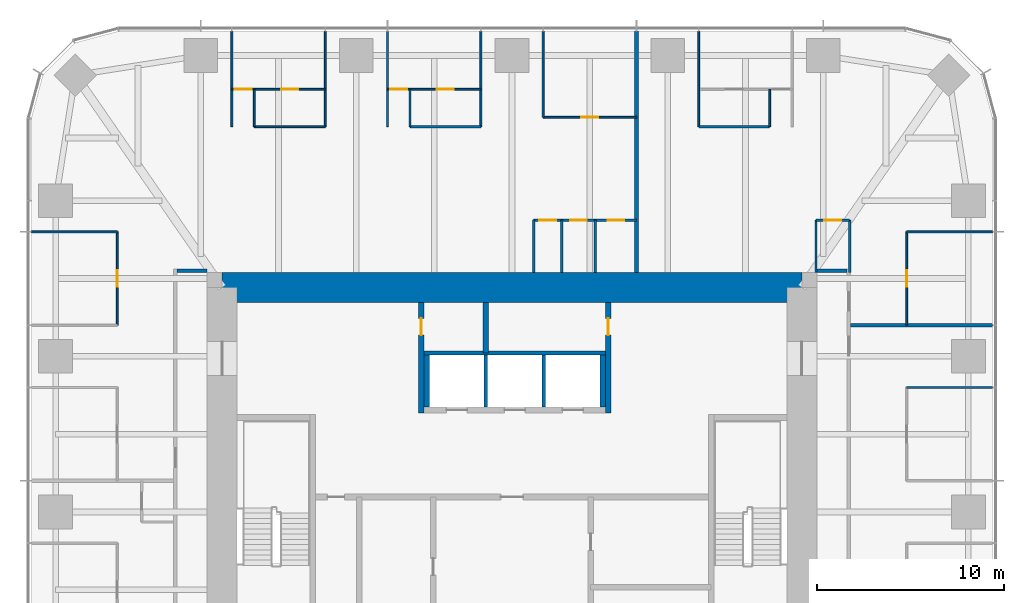
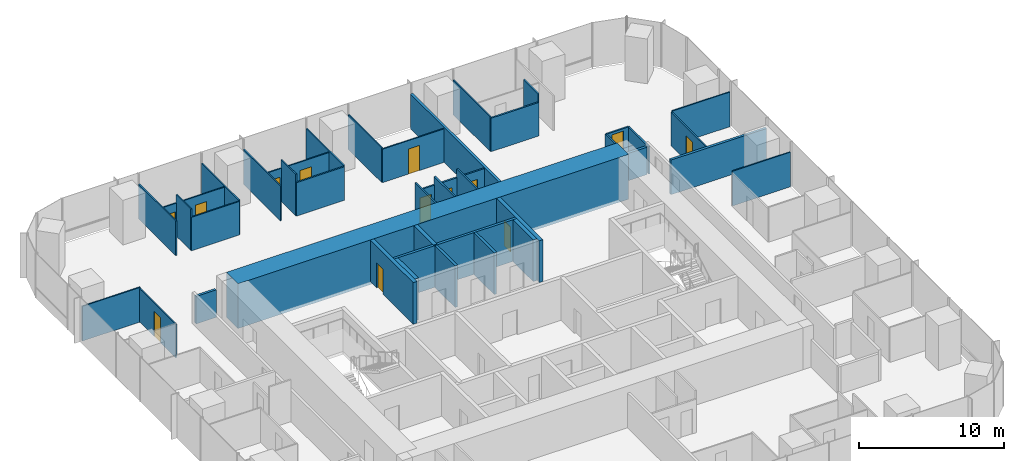
# One storey, part 11 of 13: 40 walls, 13 doors, 13 openings.
"""IFC4 building model written with IfcOpenShell, lengths in metres."""

from ifc_helpers import new_model, si_unit, direction, frame, frame_2d, origin, place, context, subcontext, project, spatial, rectangle, extrude, material, layer, layer_set, type_object, element, fill, save


model = new_model("IFC4")

# Units and contexts
model_context = context("Model", 3, precision=1e-05, world=origin(), true_north=direction((0.0, 1.0)))
body_context = subcontext(model_context, "Body", "Model", "MODEL_VIEW")
ifc_project = project(units=[si_unit("LENGTHUNIT", "METRE"), si_unit("AREAUNIT", "SQUARE_METRE"), si_unit("VOLUMEUNIT", "CUBIC_METRE"), si_unit("PLANEANGLEUNIT", "RADIAN"), si_unit("MASSUNIT", "GRAM", prefix="KILO")], contexts=[model_context])

# Site, building, storey
site_placement = place(None, origin())
site = spatial("IfcSite", under=ifc_project, at=site_placement, CompositionType="ELEMENT")
building_placement = place(site_placement, origin())
building = spatial("IfcBuilding", under=site, at=building_placement, Name="Khuree Lantern Residences", CompositionType="ELEMENT")
storey_placement = place(building_placement, frame((0.0, 0.0, 252.0)))
storey = spatial("IfcBuildingStorey", under=building, at=storey_placement, Name="L63", CompositionType="ELEMENT", Elevation=252.0)

# Wall
ifc_material_1 = material(Name="Moisture-resistant gypsum board on steel studs", Category="steel")
ifc_layer_1 = layer(ifc_material_1, 0.125)
ifc_layer_set_1 = layer_set([ifc_layer_1], Name="BATHROOM WALL BTW125")
wall_type_1 = type_object("IfcWallType", Name="BATHROOM WALL BTW125", PredefinedType="PARTITIONING", material=ifc_layer_set_1)
wall_1_placement = place(storey_placement, frame((13.77587890625, 20.594970703125, 0.0), z_axis=(0.0, 0.0, 1.0), x_axis=(-1.0, 0.0, 0.0)))
element("IfcWall", 1, at=wall_1_placement, inside=storey, type_object=wall_type_1, Name="L63 BATHROOM WALL 02", PredefinedType="PARTITIONING", context=body_context, shape_type="SweptSolid", body=[
    extrude(rectangle(XDim=3.7919921875, YDim=0.125, at=frame_2d((1.89599609375, 0.0))), origin(), (0.0, 0.0, 1.0), 2.81005859375),
])

# Wall, opening, door
wall_2_placement = place(storey_placement, frame((18.050048828125, 15.60009765625, 0.0), z_axis=(0.0, 0.0, 1.0), x_axis=(-1.0, 0.0, 0.0)))
wall_2 = element("IfcWall", 2, at=wall_2_placement, inside=storey, type_object=wall_type_1, Name="L63 BATHROOM WALL 02", PredefinedType="PARTITIONING", context=body_context, shape_type="SweptSolid", body=[
    extrude(rectangle(XDim=1.800048828125, YDim=0.125, at=frame_2d((0.89990234375, 0.0))), origin(), (0.0, 0.0, 1.0), 2.300048828125),
])
opening_1_placement = place(wall_2_placement, frame((0.449951171875, 0.0, 0.0)))
opening_1 = element("IfcOpeningElement", 3, at=opening_1_placement, cuts=wall_2, Name="Opening 63-029", PredefinedType="OPENING", context=body_context, shape_type="SweptSolid", body=[
    extrude(rectangle(XDim=0.89990234375, YDim=2.10009765625, at=frame_2d((0.449951171875, 1.050048828125))), frame((0.0, 0.072509765625, 0.0), z_axis=(0.0, -1.0, 0.0), x_axis=(1.0, 0.0, 0.0)), (0.0, 0.0, 1.0), 0.14501953125),
])
ifc_material_2 = material(Name="Timber door leaf in hardwood frame", Category="wood")
door_type_1 = type_object("IfcDoorType", Name="BATHROOM DOOR 900X2100", OperationType="SINGLE_SWING_LEFT", PredefinedType="DOOR", material=ifc_material_2)
door_1_placement = place(opening_1_placement, origin())
door_1 = element("IfcDoor", 4, at=door_1_placement, inside=storey, type_object=door_type_1, Name="Bathroom door 63-029", OperationType="SINGLE_SWING_LEFT", OverallHeight=2.10009765625, OverallWidth=0.89990234375, PredefinedType="DOOR", context=body_context, shape_type="SweptSolid", body=[
    extrude(rectangle(XDim=0.89990234375, YDim=2.10009765625, at=frame_2d((0.449951171875, 1.050048828125))), frame((0.0, 0.02490234375, 0.0), z_axis=(0.0, -1.0, 0.0), x_axis=(1.0, 0.0, 0.0)), (0.0, 0.0, 1.0), 0.050048828125),
])
fill(opening_1, door_1)

# Walls
for number, where, z_axis, x_axis, name in (
    (5, (18.050048828125, 12.800048828125, 0.0), (0.0, 0.0, 1.0), (0.0, 1.0, 0.0), "L63 BATHROOM WALL 02"),
    (6, (16.25, 12.800048828125, 0.0), (0.0, 0.0, 1.0), (0.0, 1.0, 0.0), "L63 BATHROOM WALL 02"),
):
    element("IfcWall", number, at=place(storey_placement, frame(where, z_axis=z_axis, x_axis=x_axis)), inside=storey, type_object=wall_type_1, Name=name, PredefinedType="PARTITIONING", context=body_context, shape_type="SweptSolid", body=[
        extrude(rectangle(XDim=2.800048828125, YDim=0.125, at=frame_2d((1.39990234375, 0.0))), origin(), (0.0, 0.0, 1.0), 2.300048828125),
    ])
wall_3_placement = place(storey_placement, frame((-1.6640625, 20.594970703125, 0.0), z_axis=(0.0, 0.0, 1.0), x_axis=(-1.0, 0.0, 0.0)))
element("IfcWall", 7, at=wall_3_placement, inside=storey, type_object=wall_type_1, Name="L63 BATHROOM WALL 03", PredefinedType="PARTITIONING", context=body_context, shape_type="SweptSolid", body=[
    extrude(rectangle(XDim=3.7919921875, YDim=0.125, at=frame_2d((1.89599609375, 0.0))), origin(), (0.0, 0.0, 1.0), 2.81005859375),
])

# Wall, openings, doors
wall_4_placement = place(storey_placement, frame((6.656005859375, 15.60009765625, 0.0), z_axis=(0.0, 0.0, 1.0), x_axis=(-1.0, 0.0, 0.0)))
wall_4 = element("IfcWall", 8, at=wall_4_placement, inside=storey, type_object=wall_type_1, Name="L63 BATHROOM WALL 03", PredefinedType="PARTITIONING", context=body_context, shape_type="SweptSolid", body=[
    extrude(rectangle(XDim=5.5, YDim=0.125, at=frame_2d((2.75, 0.0))), origin(), (0.0, 0.0, 1.0), 2.81005859375),
])
opening_2_placement = place(wall_4_placement, frame((0.64990234375, 0.0, 0.0)))
opening_2 = element("IfcOpeningElement", 9, at=opening_2_placement, cuts=wall_4, Name="Opening 63-038", PredefinedType="OPENING", context=body_context, shape_type="SweptSolid", body=[
    extrude(rectangle(XDim=0.89990234375, YDim=2.10009765625, at=frame_2d((0.449951171875, 1.050048828125))), frame((0.0, 0.072509765625, 0.0), z_axis=(0.0, -1.0, 0.0), x_axis=(1.0, 0.0, 0.0)), (0.0, 0.0, 1.0), 0.14501953125),
])
opening_3_placement = place(wall_4_placement, frame((2.64990234375, 0.0, 0.0)))
opening_3 = element("IfcOpeningElement", 10, at=opening_3_placement, cuts=wall_4, Name="Opening 63-039", PredefinedType="OPENING", context=body_context, shape_type="SweptSolid", body=[
    extrude(rectangle(XDim=0.89990234375, YDim=2.10009765625, at=frame_2d((0.449951171875, 1.050048828125))), frame((0.0, 0.072509765625, 0.0), z_axis=(0.0, -1.0, 0.0), x_axis=(1.0, 0.0, 0.0)), (0.0, 0.0, 1.0), 0.14501953125),
])
opening_4_placement = place(wall_4_placement, frame((4.300048828125, 0.0, 0.0)))
opening_4 = element("IfcOpeningElement", 11, at=opening_4_placement, cuts=wall_4, Name="Opening 63-040", PredefinedType="OPENING", context=body_context, shape_type="SweptSolid", body=[
    extrude(rectangle(XDim=0.89990234375, YDim=2.10009765625, at=frame_2d((0.449951171875, 1.050048828125))), frame((0.0, 0.072509765625, 0.0), z_axis=(0.0, -1.0, 0.0), x_axis=(1.0, 0.0, 0.0)), (0.0, 0.0, 1.0), 0.14501953125),
])
door_2_placement = place(opening_2_placement, origin())
door_2 = element("IfcDoor", 12, at=door_2_placement, inside=storey, type_object=door_type_1, Name="Bathroom door 63-038", OperationType="SINGLE_SWING_LEFT", OverallHeight=2.10009765625, OverallWidth=0.89990234375, PredefinedType="DOOR", context=body_context, shape_type="SweptSolid", body=[
    extrude(rectangle(XDim=0.89990234375, YDim=2.10009765625, at=frame_2d((0.449951171875, 1.050048828125))), frame((0.0, 0.02490234375, 0.0), z_axis=(0.0, -1.0, 0.0), x_axis=(1.0, 0.0, 0.0)), (0.0, 0.0, 1.0), 0.050048828125),
])
fill(opening_2, door_2)
door_type_2 = type_object("IfcDoorType", Name="DOOR 900X2100", OperationType="SINGLE_SWING_LEFT", PredefinedType="DOOR", material=ifc_material_2)
door_3_placement = place(opening_3_placement, origin())
door_3 = element("IfcDoor", 13, at=door_3_placement, inside=storey, type_object=door_type_2, Name="Store door 63-039", OperationType="SINGLE_SWING_LEFT", OverallHeight=2.10009765625, OverallWidth=0.89990234375, PredefinedType="DOOR", context=body_context, shape_type="SweptSolid", body=[
    extrude(rectangle(XDim=0.89990234375, YDim=2.10009765625, at=frame_2d((0.449951171875, 1.050048828125))), frame((0.0, 0.02490234375, 0.0), z_axis=(0.0, -1.0, 0.0), x_axis=(1.0, 0.0, 0.0)), (0.0, 0.0, 1.0), 0.050048828125),
])
fill(opening_3, door_3)
door_type_3 = type_object("IfcDoorType", Name="WC DOOR 900X2100", OperationType="SINGLE_SWING_LEFT", PredefinedType="DOOR", material=ifc_material_2)
door_4_placement = place(opening_4_placement, origin())
door_4 = element("IfcDoor", 14, at=door_4_placement, inside=storey, type_object=door_type_3, Name="WC door 63-040", OperationType="SINGLE_SWING_LEFT", OverallHeight=2.10009765625, OverallWidth=0.89990234375, PredefinedType="DOOR", context=body_context, shape_type="SweptSolid", body=[
    extrude(rectangle(XDim=0.89990234375, YDim=2.10009765625, at=frame_2d((0.449951171875, 1.050048828125))), frame((0.0, 0.02490234375, 0.0), z_axis=(0.0, -1.0, 0.0), x_axis=(1.0, 0.0, 0.0)), (0.0, 0.0, 1.0), 0.050048828125),
])
fill(opening_4, door_4)

# Walls
for number, where, z_axis, x_axis, name in (
    (15, (4.4560546875, 12.800048828125, 0.0), (0.0, 0.0, 1.0), (0.0, 1.0, 0.0), "L63 BATHROOM WALL 03"),
    (16, (2.656005859375, 12.800048828125, 0.0), (0.0, 0.0, 1.0), (0.0, 1.0, 0.0), "L63 BATHROOM WALL 03"),
    (17, (1.156005859375, 12.800048828125, 0.0), (0.0, 0.0, 1.0), (0.0, 1.0, 0.0), "L63 BATHROOM WALL 03"),
):
    element("IfcWall", number, at=place(storey_placement, frame(where, z_axis=z_axis, x_axis=x_axis)), inside=storey, type_object=wall_type_1, Name=name, PredefinedType="PARTITIONING", context=body_context, shape_type="SweptSolid", body=[
        extrude(rectangle(XDim=2.800048828125, YDim=0.125, at=frame_2d((1.39990234375, 0.0))), origin(), (0.0, 0.0, 1.0), 3.5),
    ])
ifc_material_3 = material(Name="Dense concrete blockwork", Category="masonry")
ifc_layer_2 = layer(ifc_material_3, 0.300048828125)
ifc_layer_set_2 = layer_set([ifc_layer_2], Name="CORE PARTITION WALL CPW300 EI 120")
wall_type_2 = type_object("IfcWallType", Name="CORE PARTITION WALL CPW300 EI 120", PredefinedType="PARTITIONING", material=ifc_layer_set_2)
for number, where, z_axis, x_axis, name in (
    (18, (-4.550048828125, 5.60009765625, 0.0), (0.0, 0.0, 1.0), (0.0, 1.0, 0.0), "L63 CORE WALL PHW"),
    (19, (4.85009765625, 5.60009765625, 0.0), (0.0, 0.0, 1.0), (0.0, 1.0, 0.0), "L63 CORE WALL PHE"),
):
    element("IfcWall", number, at=place(storey_placement, frame(where, z_axis=z_axis, x_axis=x_axis)), inside=storey, type_object=wall_type_2, Name=name, PredefinedType="PARTITIONING", context=body_context, shape_type="SweptSolid", body=[
        extrude(rectangle(XDim=2.7998046875, YDim=0.300048828125, at=frame_2d((1.39990234375, 0.0))), origin(), (0.0, 0.0, 1.0), 3.5),
    ])

# Wall, opening, door
wall_5_placement = place(storey_placement, frame((-4.85009765625, 5.300048828125, 0.0), z_axis=(0.0, 0.0, 1.0), x_axis=(0.0, 1.0, 0.0)))
wall_5 = element("IfcWall", 20, at=wall_5_placement, inside=storey, type_object=wall_type_2, Name="L63 CORE WALL NW", PredefinedType="PARTITIONING", context=body_context, shape_type="SweptSolid", body=[
    extrude(rectangle(XDim=5.89990234375, YDim=0.300048828125, at=frame_2d((2.949951171875, 0.0))), origin(), (0.0, 0.0, 1.0), 3.5),
])
opening_5_placement = place(wall_5_placement, frame((4.14990234375, 0.0, 0.0)))
opening_5 = element("IfcOpeningElement", 21, at=opening_5_placement, cuts=wall_5, Name="Opening 63-020", PredefinedType="OPENING", context=body_context, shape_type="SweptSolid", body=[
    extrude(rectangle(XDim=0.89990234375, YDim=2.10009765625, at=frame_2d((0.449951171875, 1.050048828125))), frame((0.0, 0.16015625, 0.0), z_axis=(0.0, -1.0, 0.0), x_axis=(1.0, 0.0, 0.0)), (0.0, 0.0, 1.0), 0.320068359375),
])
door_type_4 = type_object("IfcDoorType", Name="DOOR 900X2100 RIGHT HAND", OperationType="SINGLE_SWING_RIGHT", PredefinedType="DOOR", material=ifc_material_2)
door_5_placement = place(opening_5_placement, origin())
door_5 = element("IfcDoor", 22, at=door_5_placement, inside=storey, type_object=door_type_4, Name="Housekeeping store door 63-020", OperationType="SINGLE_SWING_RIGHT", OverallHeight=2.10009765625, OverallWidth=0.89990234375, PredefinedType="DOOR", context=body_context, shape_type="SweptSolid", body=[
    extrude(rectangle(XDim=0.89990234375, YDim=2.10009765625, at=frame_2d((0.449951171875, 1.050048828125))), frame((0.0, 0.02490234375, 0.0), z_axis=(0.0, -1.0, 0.0), x_axis=(1.0, 0.0, 0.0)), (0.0, 0.0, 1.0), 0.050048828125),
])
fill(opening_5, door_5)

wall_6_placement = place(storey_placement, frame((5.14990234375, 5.300048828125, 0.0), z_axis=(0.0, 0.0, 1.0), x_axis=(0.0, 1.0, 0.0)))
wall_6 = element("IfcWall", 23, at=wall_6_placement, inside=storey, type_object=wall_type_2, Name="L63 CORE WALL NE", PredefinedType="PARTITIONING", context=body_context, shape_type="SweptSolid", body=[
    extrude(rectangle(XDim=5.89990234375, YDim=0.300048828125, at=frame_2d((2.949951171875, 0.0))), origin(), (0.0, 0.0, 1.0), 3.5),
])
opening_6_placement = place(wall_6_placement, frame((4.14990234375, 0.0, 0.0)))
opening_6 = element("IfcOpeningElement", 24, at=opening_6_placement, cuts=wall_6, Name="Opening 63-021", PredefinedType="OPENING", context=body_context, shape_type="SweptSolid", body=[
    extrude(rectangle(XDim=0.89990234375, YDim=2.10009765625, at=frame_2d((0.449951171875, 1.050048828125))), frame((0.0, 0.16015625, 0.0), z_axis=(0.0, -1.0, 0.0), x_axis=(1.0, 0.0, 0.0)), (0.0, 0.0, 1.0), 0.320068359375),
])
door_6_placement = place(opening_6_placement, origin())
door_6 = element("IfcDoor", 25, at=door_6_placement, inside=storey, type_object=door_type_2, Name="Parcel room door 63-021", OperationType="SINGLE_SWING_LEFT", OverallHeight=2.10009765625, OverallWidth=0.89990234375, PredefinedType="DOOR", context=body_context, shape_type="SweptSolid", body=[
    extrude(rectangle(XDim=0.89990234375, YDim=2.10009765625, at=frame_2d((0.449951171875, 1.050048828125))), frame((0.0, 0.02490234375, 0.0), z_axis=(0.0, -1.0, 0.0), x_axis=(1.0, 0.0, 0.0)), (0.0, 0.0, 1.0), 0.050048828125),
])
fill(opening_6, door_6)

# Walls
wall_7_placement = place(storey_placement, frame((-1.39990234375, 8.5, 0.0), z_axis=(0.0, 0.0, 1.0), x_axis=(0.0, 1.0, 0.0)))
element("IfcWall", 26, at=wall_7_placement, inside=storey, type_object=wall_type_2, Name="L63 CORE WALL NX", PredefinedType="PARTITIONING", context=body_context, shape_type="SweptSolid", body=[
    extrude(rectangle(XDim=2.699951171875, YDim=0.300048828125, at=frame_2d((1.35009765625, 0.0))), origin(), (0.0, 0.0, 1.0), 3.5),
])
ifc_material_4 = material(Name="Gypsum board on steel studs", Category="steel")
ifc_layer_3 = layer(ifc_material_4, 0.199951171875)
ifc_layer_set_3 = layer_set([ifc_layer_3], Name="CORRIDOR WALL CRW200 EI 60")
wall_type_3 = type_object("IfcWallType", Name="CORRIDOR WALL CRW200 EI 60", PredefinedType="PARTITIONING", material=ifc_layer_set_3)
for number, where, z_axis, x_axis, name in (
    (27, (16.300048828125, 12.89990234375, 0.0), (0.0, 0.0, 1.0), (1.0, 0.0, 0.0), "L63 EAST CORRIDOR NORTH END WALL"),
    (28, (-16.300048828125, 12.89990234375, 0.0), (0.0, 0.0, 1.0), (-1.0, 0.0, 0.0), "L63 WEST CORRIDOR NORTH END WALL"),
):
    element("IfcWall", number, at=place(storey_placement, frame(where, z_axis=z_axis, x_axis=x_axis)), inside=storey, type_object=wall_type_3, Name=name, PredefinedType="PARTITIONING", context=body_context, shape_type="SweptSolid", body=[
        extrude(rectangle(XDim=1.599853515625, YDim=0.199951171875, at=frame_2d((0.7998046875, 0.0))), origin(), (0.0, 0.0, 1.0), 2.300048828125),
    ])
ifc_material_5 = material(Name="Concrete C50/60", Category="concrete")
ifc_layer_4 = layer(ifc_material_5, 1.60009765625)
ifc_layer_set_4 = layer_set([ifc_layer_4], Name="CW1600-C50 CORE WALL C50 1600")
wall_type_4 = type_object("IfcWallType", Name="CW1600-C50 CORE WALL C50 1600", PredefinedType="SHEAR", material=ifc_layer_set_4)
wall_8_placement = place(storey_placement, frame((-15.5, 12.0, -0.25), z_axis=(0.0, 0.0, 1.0), x_axis=(1.0, 0.0, 0.0)))
element("IfcWall", 29, at=wall_8_placement, inside=storey, type_object=wall_type_4, Name="Core wall N", PredefinedType="SHEAR", context=body_context, shape_type="SweptSolid", body=[
    extrude(rectangle(XDim=31.0, YDim=1.60009765625, at=frame_2d((15.5, 0.0))), origin(), (0.0, 0.0, 1.0), 3.75),
])
ifc_layer_5 = layer(ifc_material_4, 0.199951171875)
ifc_layer_set_5 = layer_set([ifc_layer_5], Name="DEMISING WALL DMW200 EI 90")
wall_type_5 = type_object("IfcWallType", Name="DEMISING WALL DMW200 EI 90", PredefinedType="PARTITIONING", material=ifc_layer_set_5)
wall_9_placement = place(storey_placement, frame((18.10009765625, 9.98388671875, 0.0), z_axis=(0.0, 0.0, 1.0), x_axis=(1.0, 0.0, 0.0)))
element("IfcWall", 30, at=wall_9_placement, inside=storey, type_object=wall_type_5, Name="L63 DEMISING WALL 02", PredefinedType="PARTITIONING", context=body_context, shape_type="SweptSolid", body=[
    extrude(rectangle(XDim=7.599853515625, YDim=0.199951171875, at=frame_2d((3.7998046875, 0.0))), origin(), (0.0, 0.0, 1.0), 2.909912109375),
])
wall_10_placement = place(storey_placement, frame((6.656005859375, 12.800048828125, 0.0), z_axis=(0.0, 0.0, 1.0), x_axis=(0.0, 1.0, 0.0)))
element("IfcWall", 31, at=wall_10_placement, inside=storey, type_object=wall_type_5, Name="L63 DEMISING WALL 03", PredefinedType="PARTITIONING", context=body_context, shape_type="SweptSolid", body=[
    extrude(rectangle(XDim=12.89990234375, YDim=0.199951171875, at=frame_2d((6.449951171875, 0.0))), origin(), (0.0, 0.0, 1.0), 2.909912109375),
])
ifc_layer_6 = layer(ifc_material_4, 0.10009765625)
ifc_layer_set_6 = layer_set([ifc_layer_6], Name="PARTITION PT100")
wall_type_6 = type_object("IfcWallType", Name="PARTITION PT100", PredefinedType="PARTITIONING", material=ifc_layer_set_6)
for number, where, z_axis, x_axis, name in (
    (32, (21.10009765625, 6.656005859375, 0.0), (0.0, 0.0, 1.0), (1.0, 0.0, 0.0), "L63 PARTITION 01"),
    (33, (21.10009765625, 14.97607421875, 0.0), (0.0, 0.0, 1.0), (1.0, 0.0, 0.0), "L63 PARTITION 02"),
):
    element("IfcWall", number, at=place(storey_placement, frame(where, z_axis=z_axis, x_axis=x_axis)), inside=storey, type_object=wall_type_6, Name=name, PredefinedType="PARTITIONING", context=body_context, shape_type="SweptSolid", body=[
        extrude(rectangle(XDim=4.599853515625, YDim=0.10009765625, at=frame_2d((2.2998046875, 0.0))), origin(), (0.0, 0.0, 1.0), 2.909912109375),
    ])
wall_11_placement = place(storey_placement, frame((9.98388671875, 20.594970703125, 0.0), z_axis=(0.0, 0.0, 1.0), x_axis=(0.0, 1.0, 0.0)))
element("IfcWall", 34, at=wall_11_placement, inside=storey, type_object=wall_type_6, Name="L63 PARTITION 02", PredefinedType="PARTITIONING", context=body_context, shape_type="SweptSolid", body=[
    extrude(rectangle(XDim=5.10498046875, YDim=0.10009765625, at=frame_2d((2.552490234375, 0.0))), origin(), (0.0, 0.0, 1.0), 2.909912109375),
])
wall_12_placement = place(storey_placement, frame((1.6640625, 21.10009765625, 0.0), z_axis=(0.0, 0.0, 1.0), x_axis=(0.0, 1.0, 0.0)))
element("IfcWall", 35, at=wall_12_placement, inside=storey, type_object=wall_type_6, Name="L63 PARTITION 03", PredefinedType="PARTITIONING", context=body_context, shape_type="SweptSolid", body=[
    extrude(rectangle(XDim=4.599853515625, YDim=0.10009765625, at=frame_2d((2.2998046875, 0.0))), origin(), (0.0, 0.0, 1.0), 2.909912109375),
])
for number, where, z_axis, x_axis, name in (
    (36, (-1.6640625, 20.594970703125, 0.0), (0.0, 0.0, 1.0), (0.0, 1.0, 0.0), "L63 PARTITION 03"),
    (37, (-6.656005859375, 20.594970703125, 0.0), (0.0, 0.0, 1.0), (0.0, 1.0, 0.0), "L63 PARTITION 03"),
    (38, (-9.98388671875, 20.594970703125, 0.0), (0.0, 0.0, 1.0), (0.0, 1.0, 0.0), "L63 PARTITION 03"),
    (39, (-14.97607421875, 20.594970703125, 0.0), (0.0, 0.0, 1.0), (0.0, 1.0, 0.0), "L63 PARTITION 03"),
):
    element("IfcWall", number, at=place(storey_placement, frame(where, z_axis=z_axis, x_axis=x_axis)), inside=storey, type_object=wall_type_6, Name=name, PredefinedType="PARTITIONING", context=body_context, shape_type="SweptSolid", body=[
        extrude(rectangle(XDim=5.10498046875, YDim=0.10009765625, at=frame_2d((2.552490234375, 0.0))), origin(), (0.0, 0.0, 1.0), 2.909912109375),
    ])
wall_13_placement = place(storey_placement, frame((-21.10009765625, 14.97607421875, 0.0), z_axis=(0.0, 0.0, 1.0), x_axis=(-1.0, 0.0, 0.0)))
element("IfcWall", 40, at=wall_13_placement, inside=storey, type_object=wall_type_6, Name="L63 PARTITION 03", PredefinedType="PARTITIONING", context=body_context, shape_type="SweptSolid", body=[
    extrude(rectangle(XDim=4.599853515625, YDim=0.10009765625, at=frame_2d((2.2998046875, 0.0))), origin(), (0.0, 0.0, 1.0), 2.909912109375),
])

# Wall, opening, door
wall_14_placement = place(storey_placement, frame((21.10009765625, 9.98388671875, 0.0), z_axis=(0.0, 0.0, 1.0), x_axis=(0.0, 1.0, 0.0)))
wall_14 = element("IfcWall", 41, at=wall_14_placement, inside=storey, type_object=wall_type_6, Name="L63 PARTITION 02", PredefinedType="PARTITIONING", context=body_context, shape_type="SweptSolid", body=[
    extrude(rectangle(XDim=4.9921875, YDim=0.10009765625, at=frame_2d((2.49609375, 0.0))), origin(), (0.0, 0.0, 1.0), 2.81005859375),
])
opening_7_placement = place(wall_14_placement, frame((2.0458984375, 0.0, 0.0)))
opening_7 = element("IfcOpeningElement", 42, at=opening_7_placement, cuts=wall_14, Name="Opening 63-026", PredefinedType="OPENING", context=body_context, shape_type="SweptSolid", body=[
    extrude(rectangle(XDim=0.89990234375, YDim=2.10009765625, at=frame_2d((0.449951171875, 1.050048828125))), frame((0.0, 0.06005859375, 0.0), z_axis=(0.0, -1.0, 0.0), x_axis=(1.0, 0.0, 0.0)), (0.0, 0.0, 1.0), 0.1201171875),
])
door_type_5 = type_object("IfcDoorType", Name="BEDROOM DOOR 900X2100", OperationType="SINGLE_SWING_LEFT", PredefinedType="DOOR", material=ifc_material_2)
door_7_placement = place(opening_7_placement, origin())
door_7 = element("IfcDoor", 43, at=door_7_placement, inside=storey, type_object=door_type_5, Name="Bedroom door 63-026", OperationType="SINGLE_SWING_LEFT", OverallHeight=2.10009765625, OverallWidth=0.89990234375, PredefinedType="DOOR", context=body_context, shape_type="SweptSolid", body=[
    extrude(rectangle(XDim=0.89990234375, YDim=2.10009765625, at=frame_2d((0.449951171875, 1.050048828125))), frame((0.0, 0.02490234375, 0.0), z_axis=(0.0, -1.0, 0.0), x_axis=(1.0, 0.0, 0.0)), (0.0, 0.0, 1.0), 0.050048828125),
])
fill(opening_7, door_7)

# Wall
wall_15_placement = place(storey_placement, frame((13.77587890625, 20.594970703125, 0.0), z_axis=(0.0, 0.0, 1.0), x_axis=(0.0, 1.0, 0.0)))
element("IfcWall", 44, at=wall_15_placement, inside=storey, type_object=wall_type_6, Name="L63 PARTITION 02", PredefinedType="PARTITIONING", context=body_context, shape_type="SweptSolid", body=[
    extrude(rectangle(XDim=2.0, YDim=0.10009765625, at=frame_2d((1.0, 0.0))), origin(), (0.0, 0.0, 1.0), 3.5),
])

# Wall, opening, door
wall_16_placement = place(storey_placement, frame((6.656005859375, 21.10009765625, 0.0), z_axis=(0.0, 0.0, 1.0), x_axis=(-1.0, 0.0, 0.0)))
wall_16 = element("IfcWall", 45, at=wall_16_placement, inside=storey, type_object=wall_type_6, Name="L63 PARTITION 03", PredefinedType="PARTITIONING", context=body_context, shape_type="SweptSolid", body=[
    extrude(rectangle(XDim=4.991943359375, YDim=0.10009765625, at=frame_2d((2.49609375, 0.0))), origin(), (0.0, 0.0, 1.0), 2.81005859375),
])
opening_8_placement = place(wall_16_placement, frame((2.0458984375, 0.0, 0.0)))
opening_8 = element("IfcOpeningElement", 46, at=opening_8_placement, cuts=wall_16, Name="Opening 63-031", PredefinedType="OPENING", context=body_context, shape_type="SweptSolid", body=[
    extrude(rectangle(XDim=0.89990234375, YDim=2.10009765625, at=frame_2d((0.449951171875, 1.050048828125))), frame((0.0, 0.06005859375, 0.0), z_axis=(0.0, -1.0, 0.0), x_axis=(1.0, 0.0, 0.0)), (0.0, 0.0, 1.0), 0.1201171875),
])
door_8_placement = place(opening_8_placement, origin())
door_8 = element("IfcDoor", 47, at=door_8_placement, inside=storey, type_object=door_type_5, Name="Bedroom door 63-031", OperationType="SINGLE_SWING_LEFT", OverallHeight=2.10009765625, OverallWidth=0.89990234375, PredefinedType="DOOR", context=body_context, shape_type="SweptSolid", body=[
    extrude(rectangle(XDim=0.89990234375, YDim=2.10009765625, at=frame_2d((0.449951171875, 1.050048828125))), frame((0.0, 0.02490234375, 0.0), z_axis=(0.0, -1.0, 0.0), x_axis=(1.0, 0.0, 0.0)), (0.0, 0.0, 1.0), 0.050048828125),
])
fill(opening_8, door_8)

# Wall, openings, doors
wall_17_placement = place(storey_placement, frame((-1.6640625, 22.594970703125, 0.0), z_axis=(0.0, 0.0, 1.0), x_axis=(-1.0, 0.0, 0.0)))
wall_17 = element("IfcWall", 48, at=wall_17_placement, inside=storey, type_object=wall_type_6, Name="L63 PARTITION 03", PredefinedType="PARTITIONING", context=body_context, shape_type="SweptSolid", body=[
    extrude(rectangle(XDim=4.991943359375, YDim=0.10009765625, at=frame_2d((2.49609375, 0.0))), origin(), (0.0, 0.0, 1.0), 2.81005859375),
])
opening_9_placement = place(wall_17_placement, frame((3.94189453125, 0.0, 0.0)))
opening_9 = element("IfcOpeningElement", 49, at=opening_9_placement, cuts=wall_17, Name="Opening 63-032", PredefinedType="OPENING", context=body_context, shape_type="SweptSolid", body=[
    extrude(rectangle(XDim=0.89990234375, YDim=2.10009765625, at=frame_2d((0.449951171875, 1.050048828125))), frame((0.0, 0.06005859375, 0.0), z_axis=(0.0, -1.0, 0.0), x_axis=(1.0, 0.0, 0.0)), (0.0, 0.0, 1.0), 0.1201171875),
])
opening_10_placement = place(wall_17_placement, frame((1.446044921875, 0.0, 0.0)))
opening_10 = element("IfcOpeningElement", 50, at=opening_10_placement, cuts=wall_17, Name="Opening 63-033", PredefinedType="OPENING", context=body_context, shape_type="SweptSolid", body=[
    extrude(rectangle(XDim=0.89990234375, YDim=2.10009765625, at=frame_2d((0.449951171875, 1.050048828125))), frame((0.0, 0.06005859375, 0.0), z_axis=(0.0, -1.0, 0.0), x_axis=(1.0, 0.0, 0.0)), (0.0, 0.0, 1.0), 0.1201171875),
])
door_9_placement = place(opening_10_placement, origin())
door_9 = element("IfcDoor", 51, at=door_9_placement, inside=storey, type_object=door_type_1, Name="Bathroom door 63-033", OperationType="SINGLE_SWING_LEFT", OverallHeight=2.10009765625, OverallWidth=0.89990234375, PredefinedType="DOOR", context=body_context, shape_type="SweptSolid", body=[
    extrude(rectangle(XDim=0.89990234375, YDim=2.10009765625, at=frame_2d((0.449951171875, 1.050048828125))), frame((0.0, 0.02490234375, 0.0), z_axis=(0.0, -1.0, 0.0), x_axis=(1.0, 0.0, 0.0)), (0.0, 0.0, 1.0), 0.050048828125),
])
fill(opening_10, door_9)
door_10_placement = place(opening_9_placement, origin())
door_10 = element("IfcDoor", 52, at=door_10_placement, inside=storey, type_object=door_type_5, Name="Bedroom door 63-032", OperationType="SINGLE_SWING_LEFT", OverallHeight=2.10009765625, OverallWidth=0.89990234375, PredefinedType="DOOR", context=body_context, shape_type="SweptSolid", body=[
    extrude(rectangle(XDim=0.89990234375, YDim=2.10009765625, at=frame_2d((0.449951171875, 1.050048828125))), frame((0.0, 0.02490234375, 0.0), z_axis=(0.0, -1.0, 0.0), x_axis=(1.0, 0.0, 0.0)), (0.0, 0.0, 1.0), 0.050048828125),
])
fill(opening_9, door_10)

# Wall
wall_18_placement = place(storey_placement, frame((-5.4560546875, 20.594970703125, 0.0), z_axis=(0.0, 0.0, 1.0), x_axis=(0.0, 1.0, 0.0)))
element("IfcWall", 53, at=wall_18_placement, inside=storey, type_object=wall_type_6, Name="L63 PARTITION 03", PredefinedType="PARTITIONING", context=body_context, shape_type="SweptSolid", body=[
    extrude(rectangle(XDim=2.0, YDim=0.10009765625, at=frame_2d((1.0, 0.0))), origin(), (0.0, 0.0, 1.0), 3.5),
])

# Wall, openings, doors
wall_19_placement = place(storey_placement, frame((-9.98388671875, 22.594970703125, 0.0), z_axis=(0.0, 0.0, 1.0), x_axis=(-1.0, 0.0, 0.0)))
wall_19 = element("IfcWall", 54, at=wall_19_placement, inside=storey, type_object=wall_type_6, Name="L63 PARTITION 03", PredefinedType="PARTITIONING", context=body_context, shape_type="SweptSolid", body=[
    extrude(rectangle(XDim=4.9921875, YDim=0.10009765625, at=frame_2d((2.49609375, 0.0))), origin(), (0.0, 0.0, 1.0), 2.81005859375),
])
opening_11_placement = place(wall_19_placement, frame((3.94189453125, 0.0, 0.0)))
opening_11 = element("IfcOpeningElement", 55, at=opening_11_placement, cuts=wall_19, Name="Opening 63-034", PredefinedType="OPENING", context=body_context, shape_type="SweptSolid", body=[
    extrude(rectangle(XDim=0.89990234375, YDim=2.10009765625, at=frame_2d((0.449951171875, 1.050048828125))), frame((0.0, 0.06005859375, 0.0), z_axis=(0.0, -1.0, 0.0), x_axis=(1.0, 0.0, 0.0)), (0.0, 0.0, 1.0), 0.1201171875),
])
opening_12_placement = place(wall_19_placement, frame((1.446044921875, 0.0, 0.0)))
opening_12 = element("IfcOpeningElement", 56, at=opening_12_placement, cuts=wall_19, Name="Opening 63-035", PredefinedType="OPENING", context=body_context, shape_type="SweptSolid", body=[
    extrude(rectangle(XDim=0.89990234375, YDim=2.10009765625, at=frame_2d((0.449951171875, 1.050048828125))), frame((0.0, 0.06005859375, 0.0), z_axis=(0.0, -1.0, 0.0), x_axis=(1.0, 0.0, 0.0)), (0.0, 0.0, 1.0), 0.1201171875),
])
door_11_placement = place(opening_11_placement, origin())
door_11 = element("IfcDoor", 57, at=door_11_placement, inside=storey, type_object=door_type_5, Name="Bedroom door 63-034", OperationType="SINGLE_SWING_LEFT", OverallHeight=2.10009765625, OverallWidth=0.89990234375, PredefinedType="DOOR", context=body_context, shape_type="SweptSolid", body=[
    extrude(rectangle(XDim=0.89990234375, YDim=2.10009765625, at=frame_2d((0.449951171875, 1.050048828125))), frame((0.0, 0.02490234375, 0.0), z_axis=(0.0, -1.0, 0.0), x_axis=(1.0, 0.0, 0.0)), (0.0, 0.0, 1.0), 0.050048828125),
])
fill(opening_11, door_11)
door_12_placement = place(opening_12_placement, origin())
door_12 = element("IfcDoor", 58, at=door_12_placement, inside=storey, type_object=door_type_2, Name="Wardrobe door 63-035", OperationType="SINGLE_SWING_LEFT", OverallHeight=2.10009765625, OverallWidth=0.89990234375, PredefinedType="DOOR", context=body_context, shape_type="SweptSolid", body=[
    extrude(rectangle(XDim=0.89990234375, YDim=2.10009765625, at=frame_2d((0.449951171875, 1.050048828125))), frame((0.0, 0.02490234375, 0.0), z_axis=(0.0, -1.0, 0.0), x_axis=(1.0, 0.0, 0.0)), (0.0, 0.0, 1.0), 0.050048828125),
])
fill(opening_12, door_12)

# Walls
wall_20_placement = place(storey_placement, frame((-13.77587890625, 20.594970703125, 0.0), z_axis=(0.0, 0.0, 1.0), x_axis=(0.0, 1.0, 0.0)))
element("IfcWall", 59, at=wall_20_placement, inside=storey, type_object=wall_type_6, Name="L63 PARTITION 03", PredefinedType="PARTITIONING", context=body_context, shape_type="SweptSolid", body=[
    extrude(rectangle(XDim=2.0, YDim=0.10009765625, at=frame_2d((1.0, 0.0))), origin(), (0.0, 0.0, 1.0), 3.5),
])
wall_21_placement = place(storey_placement, frame((-9.98388671875, 20.594970703125, 0.0), z_axis=(0.0, 0.0, 1.0), x_axis=(-1.0, 0.0, 0.0)))
element("IfcWall", 60, at=wall_21_placement, inside=storey, type_object=wall_type_6, Name="L63 PARTITION 03", PredefinedType="PARTITIONING", context=body_context, shape_type="SweptSolid", body=[
    extrude(rectangle(XDim=3.7919921875, YDim=0.10009765625, at=frame_2d((1.89599609375, 0.0))), origin(), (0.0, 0.0, 1.0), 2.81005859375),
])

# Wall, opening, door
wall_22_placement = place(storey_placement, frame((-21.10009765625, 14.97607421875, 0.0), z_axis=(0.0, 0.0, 1.0), x_axis=(0.0, -1.0, 0.0)))
wall_22 = element("IfcWall", 61, at=wall_22_placement, inside=storey, type_object=wall_type_6, Name="L63 PARTITION 03", PredefinedType="PARTITIONING", context=body_context, shape_type="SweptSolid", body=[
    extrude(rectangle(XDim=4.9921875, YDim=0.10009765625, at=frame_2d((2.49609375, 0.0))), origin(), (0.0, 0.0, 1.0), 2.81005859375),
])
opening_13_placement = place(wall_22_placement, frame((2.0458984375, 0.0, 0.0)))
opening_13 = element("IfcOpeningElement", 62, at=opening_13_placement, cuts=wall_22, Name="Opening 63-036", PredefinedType="OPENING", context=body_context, shape_type="SweptSolid", body=[
    extrude(rectangle(XDim=0.89990234375, YDim=2.10009765625, at=frame_2d((0.449951171875, 1.050048828125))), frame((0.0, 0.06005859375, 0.0), z_axis=(0.0, -1.0, 0.0), x_axis=(1.0, 0.0, 0.0)), (0.0, 0.0, 1.0), 0.1201171875),
])
door_13_placement = place(opening_13_placement, origin())
door_13 = element("IfcDoor", 63, at=door_13_placement, inside=storey, type_object=door_type_5, Name="Bedroom door 63-036", OperationType="SINGLE_SWING_LEFT", OverallHeight=2.10009765625, OverallWidth=0.89990234375, PredefinedType="DOOR", context=body_context, shape_type="SweptSolid", body=[
    extrude(rectangle(XDim=0.89990234375, YDim=2.10009765625, at=frame_2d((0.449951171875, 1.050048828125))), frame((0.0, 0.02490234375, 0.0), z_axis=(0.0, -1.0, 0.0), x_axis=(1.0, 0.0, 0.0)), (0.0, 0.0, 1.0), 0.050048828125),
])
fill(opening_13, door_13)

# Walls
ifc_layer_7 = layer(ifc_material_3, 0.199951171875)
ifc_layer_set_7 = layer_set([ifc_layer_7], Name="SHAFT WALL SHW200 EI 120")
wall_type_7 = type_object("IfcWallType", Name="SHAFT WALL SHW200 EI 120", PredefinedType="PARTITIONING", material=ifc_layer_set_7)
wall_23_placement = place(storey_placement, frame((-4.699951171875, 8.5, 0.0), z_axis=(0.0, 0.0, 1.0), x_axis=(1.0, 0.0, 0.0)))
element("IfcWall", 64, at=wall_23_placement, inside=storey, type_object=wall_type_7, Name="L63 CORE WALL PHN", PredefinedType="PARTITIONING", context=body_context, shape_type="SweptSolid", body=[
    extrude(rectangle(XDim=9.699951171875, YDim=0.199951171875, at=frame_2d((4.85009765625, 0.0))), origin(), (0.0, 0.0, 1.0), 3.5),
])
for number, where, z_axis, x_axis, name in (
    (65, (-1.39990234375, 5.60009765625, 0.0), (0.0, 0.0, 1.0), (0.0, 1.0, 0.0), "L63 CORE WALL PHD1"),
    (66, (1.699951171875, 5.60009765625, 0.0), (0.0, 0.0, 1.0), (0.0, 1.0, 0.0), "L63 CORE WALL PHD2"),
):
    element("IfcWall", number, at=place(storey_placement, frame(where, z_axis=z_axis, x_axis=x_axis)), inside=storey, type_object=wall_type_7, Name=name, PredefinedType="PARTITIONING", context=body_context, shape_type="SweptSolid", body=[
        extrude(rectangle(XDim=2.7998046875, YDim=0.199951171875, at=frame_2d((1.39990234375, 0.0))), origin(), (0.0, 0.0, 1.0), 3.5),
    ])

save(model, "model.ifc")
